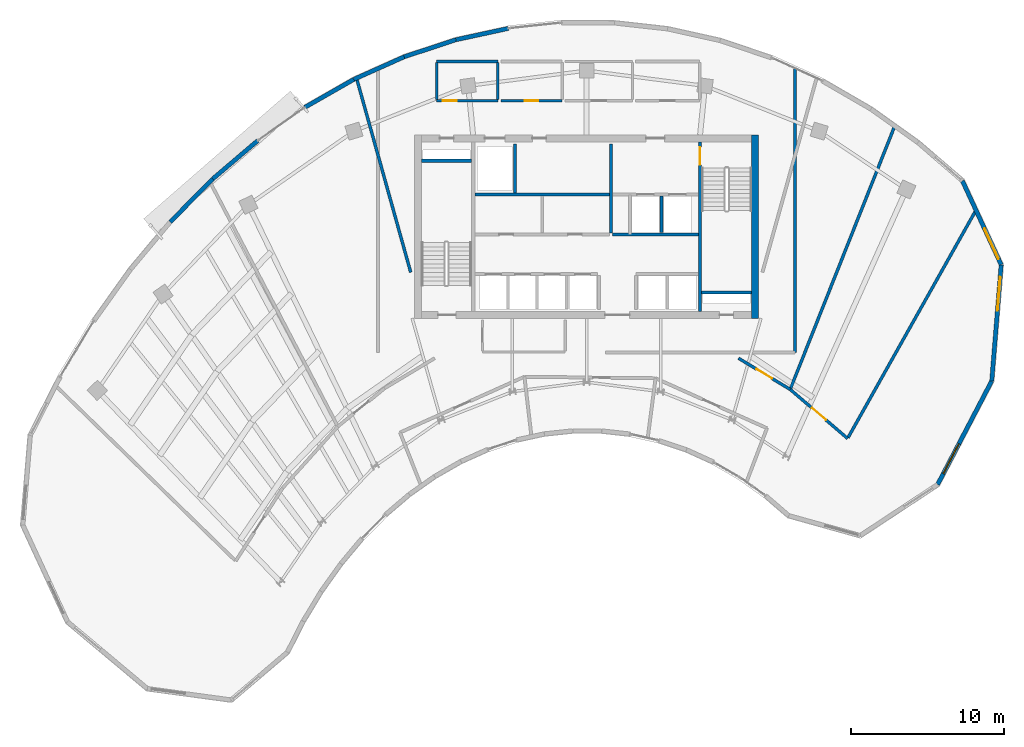
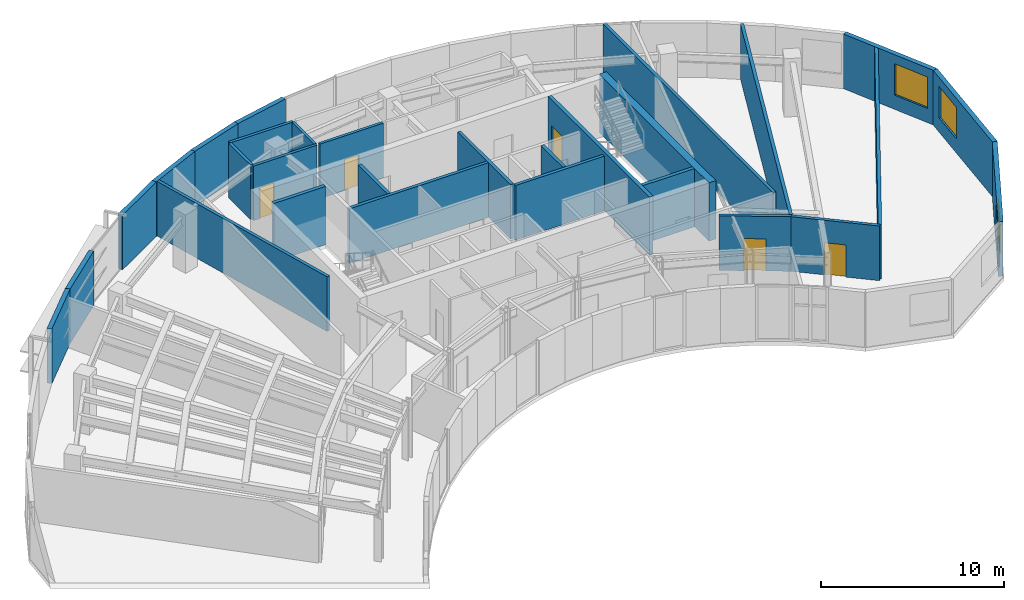
# One storey, part 9 of 12: 29 walls, 5 doors, 3 windows, 8 openings.
"""IFC4 building model written with IfcOpenShell, lengths in metres."""

from ifc_helpers import new_model, si_unit, direction, frame, frame_2d, origin, place, context, subcontext, project, spatial, rectangle, extrude, source, transform, mapped, material, layer, layer_set, type_object, type_shapes, element, fill, save


model = new_model("IFC4")

# Units and contexts
model_context = context("Model", 3, precision=1e-05, world=origin(), true_north=direction((0.0, 1.0)))
body_context = subcontext(model_context, "Body", "Model", "MODEL_VIEW")
ifc_project = project(units=[si_unit("LENGTHUNIT", "METRE"), si_unit("AREAUNIT", "SQUARE_METRE"), si_unit("VOLUMEUNIT", "CUBIC_METRE"), si_unit("PLANEANGLEUNIT", "RADIAN"), si_unit("MASSUNIT", "GRAM", prefix="KILO")], contexts=[model_context])

# Site, building, storey
site_placement = place(None, origin())
site = spatial("IfcSite", under=ifc_project, at=site_placement, CompositionType="ELEMENT")
building_placement = place(site_placement, origin())
building = spatial("IfcBuilding", under=site, at=building_placement, Name="Breltana Convention Tower", CompositionType="ELEMENT")
storey_placement = place(building_placement, frame((0.0, 0.0, 246.89990234375)))
storey = spatial("IfcBuildingStorey", under=building, at=storey_placement, Name="L60", CompositionType="ELEMENT", Elevation=246.89990234375)

# Walls
ifc_material_1 = material(Name="Concrete C50/60", Category="concrete")
ifc_layer_1 = layer(ifc_material_1, 0.39990234375, Name="Concrete C50/60")
ifc_layer_set_1 = layer_set([ifc_layer_1], Name="Concrete C50/60")
wall_type_1 = type_object("IfcWallType", Name="SW-CORE-400", PredefinedType="SHEAR", material=ifc_layer_set_1)
shared_shape_1 = source(origin(), body_context, "Body", "SweptSolid", [
    extrude(rectangle(XDim=3.27001953125, YDim=0.219970703125, at=frame_2d((1.635009765625, 0.0))), origin(), (0.0, 0.0, 1.0), 3.900146484375),
])
for number, where, z_axis, x_axis, name in (
    (1, (37.199951171875, 70.510009765625, 0.0), (0.0, 0.0, 1.0), (1.0, 0.0, 0.0), "L60 ST-1 Stairwell North Bearing Wall"),
    (2, (55.530029296875, 61.889892578125, 0.0), (0.0, 0.0, 1.0), (1.0, 0.0, 0.0), "L60 ST-2 Stairwell South Bearing Wall"),
):
    element("IfcWall", number, at=place(storey_placement, frame(where, z_axis=z_axis, x_axis=x_axis)), inside=storey, type_object=wall_type_1, Name=name, PredefinedType="SHEAR", context=body_context, shape_type="MappedRepresentation", body=[
        mapped(shared_shape_1, transform((0.0, 0.0, 0.0), scale=1.0)),
    ])
ifc_material_2 = material(Name="Concrete C60/75", Category="concrete")
ifc_layer_2 = layer(ifc_material_2, 0.449951171875, Name="Concrete C60/75")
ifc_layer_set_2 = layer_set([ifc_layer_2], Name="Concrete C60/75")
wall_type_2 = type_object("IfcWallType", Name="SW-CORE-450", PredefinedType="SHEAR", material=ifc_layer_set_2)
shared_shape_2 = source(origin(), body_context, "Body", "SweptSolid", [
    extrude(rectangle(XDim=12.0, YDim=0.449951171875, at=frame_2d((6.0, 0.0))), origin(), (0.0, 0.0, 1.0), 3.900146484375),
])
wall_1_placement = place(storey_placement, frame((59.02490234375, 60.199951171875, 0.0), z_axis=(0.0, 0.0, 1.0), x_axis=(0.0, 1.0, 0.0)))
element("IfcWall", 3, at=wall_1_placement, inside=storey, type_object=wall_type_2, Name="L60 East Core Shear Wall", PredefinedType="SHEAR", context=body_context, shape_type="MappedRepresentation", body=[
    mapped(shared_shape_2, transform((0.0, 0.0, 0.0), scale=1.0)),
])

# Wall, opening, door
shared_shape_3 = source(origin(), body_context, "Body", "SweptSolid", [
    extrude(rectangle(XDim=11.10009765625, YDim=0.219970703125, at=frame_2d((5.550048828125, 0.0))), origin(), (0.0, 0.0, 1.0), 3.900146484375),
])
wall_2_placement = place(storey_placement, frame((55.419921875, 60.64990234375, 0.0), z_axis=(0.0, 0.0, 1.0), x_axis=(0.0, 1.0, 0.0)))
wall_2 = element("IfcWall", 4, at=wall_2_placement, inside=storey, type_object=wall_type_1, Name="L60 Core East Stair Spine Wall", PredefinedType="SHEAR", context=body_context, shape_type="MappedRepresentation", body=[
    mapped(shared_shape_3, transform((0.0, 0.0, 0.0), scale=1.0)),
])
opening_1_placement = place(wall_2_placement, frame((9.594970703125, 0.0, 0.0)))
opening_1 = element("IfcOpeningElement", 5, at=opening_1_placement, cuts=wall_2, Name="Opening D-11", PredefinedType="OPENING", context=body_context, shape_type="SweptSolid", body=[
    extrude(rectangle(XDim=1.14990234375, YDim=2.14990234375, at=frame_2d((0.574951171875, 1.074951171875))), frame((0.0, 0.1201171875, 0.0), z_axis=(0.0, -1.0, 0.0), x_axis=(1.0, 0.0, 0.0)), (0.0, 0.0, 1.0), 0.239990234375),
])
ifc_material_3 = material(Name="Steel Stair Exit Door", Category="steel")
door_type_1 = type_object("IfcDoorType", Name="DR-FD120-1150", OperationType="NOTDEFINED", PredefinedType="DOOR", material=ifc_material_3)
shared_shape_4 = source(origin(), body_context, "Body", "SweptSolid", [
    extrude(rectangle(XDim=1.14990234375, YDim=2.14990234375, at=frame_2d((0.574951171875, 1.074951171875))), frame((0.0, 0.02490234375, 0.0), z_axis=(0.0, -1.0, 0.0), x_axis=(1.0, 0.0, 0.0)), (0.0, 0.0, 1.0), 0.050048828125),
])
type_shapes(door_type_1, [shared_shape_4])
door_1_placement = place(opening_1_placement, origin())
door_1 = element("IfcDoor", 6, at=door_1_placement, inside=storey, type_object=door_type_1, Name="L60 interior door D-L60-ST2", OperationType="SINGLE_SWING_LEFT", OverallHeight=2.14990234375, OverallWidth=1.14990234375, PredefinedType="DOOR", context=body_context, shape_type="MappedRepresentation", body=[
    mapped(shared_shape_4, transform((0.0, 0.0, 0.0), scale=1.0)),
])
fill(opening_1, door_1)

# Wall, opening, window
ifc_material_4 = material(Name="Limestone Buff Insulated Wall", Category="masonry")
ifc_layer_3 = layer(ifc_material_4, 0.280029296875, Name="Limestone Buff Insulated Wall")
ifc_layer_set_3 = layer_set([ifc_layer_3], Name="Limestone Buff Insulated Wall")
wall_type_3 = type_object("IfcWallType", Name="WL-EXT-NOSE-280", PredefinedType="SOLIDWALL", material=ifc_layer_set_3)
shared_shape_5 = source(origin(), body_context, "Body", "SweptSolid", [
    extrude(rectangle(XDim=6.049560546875, YDim=0.280029296875, at=frame_2d((3.02490234375, 0.0))), origin(), (0.0, 0.0, 1.0), 3.650146484375),
])
wall_3_placement = place(storey_placement, frame((72.57421875, 69.1982421875, 0.0), z_axis=(0.0, 0.0, 1.0), x_axis=(0.41942922905, -0.907788037935, 0.0)))
wall_3 = element("IfcWall", 7, at=wall_3_placement, inside=storey, type_object=wall_type_3, Name="L60 curved limestone nose wall E1", PredefinedType="SOLIDWALL", context=body_context, shape_type="MappedRepresentation", body=[
    mapped(shared_shape_5, transform((0.0, 0.0, 0.0), scale=1.0)),
])
opening_2_placement = place(wall_3_placement, frame((3.437255859375, 0.0, 0.949951171875)))
opening_2 = element("IfcOpeningElement", 8, at=opening_2_placement, cuts=wall_3, Name="Opening W-03", PredefinedType="OPENING", context=body_context, shape_type="SweptSolid", body=[
    extrude(rectangle(XDim=2.199951171875, YDim=2.10009765625, at=frame_2d((1.10009765625, 1.050048828125))), frame((0.0, 0.14990234375, 0.0), z_axis=(0.0, -1.0, 0.0), x_axis=(1.0, 0.0, 0.0)), (0.0, 0.0, 1.0), 0.300048828125),
])
ifc_material_5 = material(Name="Glass Low-E Insulated Window", Category="glass")
window_type = type_object("IfcWindowType", Name="WN-NOSE-2200X2100", PartitioningType="TRIPLE_PANEL_VERTICAL", PredefinedType="WINDOW", material=ifc_material_5)
shared_shape_6 = source(origin(), body_context, "Body", "SweptSolid", [
    extrude(rectangle(XDim=2.199951171875, YDim=2.10009765625, at=frame_2d((1.10009765625, 1.050048828125))), frame((0.0, 0.030029296875, 0.0), z_axis=(0.0, -1.0, 0.0), x_axis=(1.0, 0.0, 0.0)), (0.0, 0.0, 1.0), 0.06005859375),
])
type_shapes(window_type, [shared_shape_6])
window_1_placement = place(opening_2_placement, origin())
window_1 = element("IfcWindow", 9, at=window_1_placement, inside=storey, type_object=window_type, Name="L60 nose window E1", OverallHeight=2.10009765625, OverallWidth=2.199951171875, PartitioningType="TRIPLE_PANEL_VERTICAL", PredefinedType="WINDOW", context=body_context, shape_type="MappedRepresentation", body=[
    mapped(shared_shape_6, transform((0.0, 0.0, 0.0), scale=1.0)),
])
fill(opening_2, window_1)

shared_shape_7 = source(origin(), body_context, "Body", "SweptSolid", [
    extrude(rectangle(XDim=7.618408203125, YDim=0.280029296875, at=frame_2d((3.80908203125, 0.0))), origin(), (0.0, 0.0, 1.0), 3.650146484375),
])
wall_4_placement = place(storey_placement, frame((75.111572265625, 63.70654296875, 0.0), z_axis=(0.0, 0.0, 1.0), x_axis=(-0.080820171031, -0.996728699273, 0.0)))
wall_4 = element("IfcWall", 10, at=wall_4_placement, inside=storey, type_object=wall_type_3, Name="L60 curved limestone nose wall E2", PredefinedType="SOLIDWALL", context=body_context, shape_type="MappedRepresentation", body=[
    mapped(shared_shape_7, transform((0.0, 0.0, 0.0), scale=1.0)),
])
opening_3_placement = place(wall_4_placement, frame((0.8046875, 0.0, 0.949951171875)))
opening_3 = element("IfcOpeningElement", 11, at=opening_3_placement, cuts=wall_4, Name="Opening W-03", PredefinedType="OPENING", context=body_context, shape_type="SweptSolid", body=[
    extrude(rectangle(XDim=2.199951171875, YDim=2.10009765625, at=frame_2d((1.10009765625, 1.050048828125))), frame((0.0, 0.14990234375, 0.0), z_axis=(0.0, -1.0, 0.0), x_axis=(1.0, 0.0, 0.0)), (0.0, 0.0, 1.0), 0.300048828125),
])
window_2_placement = place(opening_3_placement, origin())
window_2 = element("IfcWindow", 12, at=window_2_placement, inside=storey, type_object=window_type, Name="L60 nose window E2", OverallHeight=2.10009765625, OverallWidth=2.199951171875, PartitioningType="TRIPLE_PANEL_VERTICAL", PredefinedType="WINDOW", context=body_context, shape_type="MappedRepresentation", body=[
    mapped(shared_shape_6, transform((0.0, 0.0, 0.0), scale=1.0)),
])
fill(opening_3, window_2)

shared_shape_8 = source(origin(), body_context, "Body", "SweptSolid", [
    extrude(rectangle(XDim=7.647705078125, YDim=0.280029296875, at=frame_2d((3.82373046875, 0.0))), origin(), (0.0, 0.0, 1.0), 3.650146484375),
])
wall_5_placement = place(storey_placement, frame((74.495849609375, 56.113037109375, 0.0), z_axis=(0.0, 0.0, 1.0), x_axis=(-0.463116873665, -0.886297219519, 0.0)))
wall_5 = element("IfcWall", 13, at=wall_5_placement, inside=storey, type_object=wall_type_3, Name="L60 curved limestone nose wall E3", PredefinedType="SOLIDWALL", context=body_context, shape_type="MappedRepresentation", body=[
    mapped(shared_shape_8, transform((0.0, 0.0, 0.0), scale=1.0)),
])
opening_4_placement = place(wall_5_placement, frame((4.6357421875, 0.0, 0.949951171875)))
opening_4 = element("IfcOpeningElement", 14, at=opening_4_placement, cuts=wall_5, Name="Opening W-03", PredefinedType="OPENING", context=body_context, shape_type="SweptSolid", body=[
    extrude(rectangle(XDim=2.199951171875, YDim=2.10009765625, at=frame_2d((1.10009765625, 1.050048828125))), frame((0.0, 0.14990234375, 0.0), z_axis=(0.0, -1.0, 0.0), x_axis=(1.0, 0.0, 0.0)), (0.0, 0.0, 1.0), 0.300048828125),
])
window_3_placement = place(opening_4_placement, origin())
window_3 = element("IfcWindow", 15, at=window_3_placement, inside=storey, type_object=window_type, Name="L60 nose window E3", OverallHeight=2.10009765625, OverallWidth=2.199951171875, PartitioningType="TRIPLE_PANEL_VERTICAL", PredefinedType="WINDOW", context=body_context, shape_type="MappedRepresentation", body=[
    mapped(shared_shape_6, transform((0.0, 0.0, 0.0), scale=1.0)),
])
fill(opening_4, window_3)

# Walls
shared_shape_9 = source(origin(), body_context, "Body", "SweptSolid", [
    extrude(rectangle(XDim=3.955078125, YDim=0.280029296875, at=frame_2d((1.9775390625, 0.0))), origin(), (0.0, 0.0, 1.0), 3.650146484375),
])
wall_6_placement = place(storey_placement, frame((20.7763671875, 66.50732421875, 0.0), z_axis=(0.0, 0.0, 1.0), x_axis=(0.702710517474, 0.711475880569, 0.0)))
element("IfcWall", 16, at=wall_6_placement, inside=storey, type_object=wall_type_3, Name="L60 curved limestone nose wall E22", PredefinedType="SOLIDWALL", context=body_context, shape_type="MappedRepresentation", body=[
    mapped(shared_shape_9, transform((0.0, 0.0, 0.0), scale=1.0)),
])
shared_shape_10 = source(origin(), body_context, "Body", "SweptSolid", [
    extrude(rectangle(XDim=3.8603515625, YDim=0.280029296875, at=frame_2d((1.93017578125, 0.0))), origin(), (0.0, 0.0, 1.0), 3.650146484375),
])
wall_7_placement = place(storey_placement, frame((23.5556640625, 69.3212890625, 0.0), z_axis=(0.0, 0.0, 1.0), x_axis=(0.761497547739, 0.648167790613, 0.0)))
element("IfcWall", 17, at=wall_7_placement, inside=storey, type_object=wall_type_3, Name="L60 curved limestone nose wall E23", PredefinedType="SOLIDWALL", context=body_context, shape_type="MappedRepresentation", body=[
    mapped(shared_shape_10, transform((0.0, 0.0, 0.0), scale=1.0)),
])
shared_shape_11 = source(origin(), body_context, "Body", "SweptSolid", [
    extrude(rectangle(XDim=3.68798828125, YDim=0.280029296875, at=frame_2d((1.843994140625, 0.0))), origin(), (0.0, 0.0, 1.0), 3.650146484375),
])
wall_8_placement = place(storey_placement, frame((29.57568359375, 73.99755859375, 0.0), z_axis=(0.0, 0.0, 1.0), x_axis=(0.867929289274, 0.496687778005, 0.0)))
element("IfcWall", 18, at=wall_8_placement, inside=storey, type_object=wall_type_3, Name="L60 curved limestone nose wall E24", PredefinedType="SOLIDWALL", context=body_context, shape_type="MappedRepresentation", body=[
    mapped(shared_shape_11, transform((0.0, 0.0, 0.0), scale=1.0)),
])
shared_shape_12 = source(origin(), body_context, "Body", "SweptSolid", [
    extrude(rectangle(XDim=3.556884765625, YDim=0.280029296875, at=frame_2d((1.7783203125, 0.0))), origin(), (0.0, 0.0, 1.0), 3.650146484375),
])
wall_9_placement = place(storey_placement, frame((36.07666015625, 77.306640625, 0.0), z_axis=(0.0, 0.0, 1.0), x_axis=(0.949687460385, 0.31319918197, 0.0)))
element("IfcWall", 19, at=wall_9_placement, inside=storey, type_object=wall_type_3, Name="L60 curved limestone nose wall E26", PredefinedType="SOLIDWALL", context=body_context, shape_type="MappedRepresentation", body=[
    mapped(shared_shape_12, transform((0.0, 0.0, 0.0), scale=1.0)),
])
shared_shape_13 = source(origin(), body_context, "Body", "SweptSolid", [
    extrude(rectangle(XDim=3.512939453125, YDim=0.280029296875, at=frame_2d((1.75634765625, 0.0))), origin(), (0.0, 0.0, 1.0), 3.650146484375),
])
wall_10_placement = place(storey_placement, frame((39.45458984375, 78.420654296875, 0.0), z_axis=(0.0, 0.0, 1.0), x_axis=(0.977366029072, 0.211555300611, 0.0)))
element("IfcWall", 20, at=wall_10_placement, inside=storey, type_object=wall_type_3, Name="L60 curved limestone nose wall E27", PredefinedType="SOLIDWALL", context=body_context, shape_type="MappedRepresentation", body=[
    mapped(shared_shape_13, transform((0.0, 0.0, 0.0), scale=1.0)),
])
shared_shape_14 = source(origin(), body_context, "Body", "SweptSolid", [
    extrude(rectangle(XDim=3.61572265625, YDim=0.280029296875, at=frame_2d((1.807861328125, 0.0))), origin(), (0.0, 0.0, 1.0), 3.650146484375),
])
wall_11_placement = place(storey_placement, frame((32.776611328125, 75.829345703125, 0.0), z_axis=(0.0, 0.0, 1.0), x_axis=(0.912719530576, 0.408586659726, 0.0)))
element("IfcWall", 21, at=wall_11_placement, inside=storey, type_object=wall_type_3, Name="L60 curved limestone nose wall E25", PredefinedType="SOLIDWALL", context=body_context, shape_type="MappedRepresentation", body=[
    mapped(shared_shape_14, transform((0.0, 0.0, 0.0), scale=1.0)),
])
ifc_material_6 = material(Name="Autoclaved Aerated Concrete Block", Category="concrete")
ifc_layer_4 = layer(ifc_material_6, 0.199951171875, Name="Autoclaved Aerated Concrete Block")
ifc_layer_set_4 = layer_set([ifc_layer_4], Name="Autoclaved Aerated Concrete Block")
wall_type_4 = type_object("IfcWallType", Name="WL-SHAFT-200", PredefinedType="SOLIDWALL", material=ifc_layer_set_4)
shared_shape_15 = source(origin(), body_context, "Body", "SweptSolid", [
    extrude(rectangle(XDim=5.6201171875, YDim=0.199951171875, at=frame_2d((2.81005859375, 0.0))), origin(), (0.0, 0.0, 1.0), 3.650146484375),
])
wall_12_placement = place(storey_placement, frame((49.699951171875, 65.679931640625, 0.0), z_axis=(0.0, 0.0, 1.0), x_axis=(1.0, 0.0, 0.0)))
element("IfcWall", 22, at=wall_12_placement, inside=storey, type_object=wall_type_4, Name="L60 interior partition W-L60-FL-S", PredefinedType="SOLIDWALL", context=body_context, shape_type="MappedRepresentation", body=[
    mapped(shared_shape_15, transform((0.0, 0.0, 0.0), scale=1.0)),
])
shared_shape_16 = source(origin(), body_context, "Body", "SweptSolid", [
    extrude(rectangle(XDim=5.800048828125, YDim=0.199951171875, at=frame_2d((2.89990234375, 0.0))), origin(), (0.0, 0.0, 1.0), 3.650146484375),
])
wall_13_placement = place(storey_placement, frame((49.60009765625, 65.800048828125, 0.0), z_axis=(0.0, 0.0, 1.0), x_axis=(0.0, 1.0, 0.0)))
element("IfcWall", 23, at=wall_13_placement, inside=storey, type_object=wall_type_4, Name="L60 interior partition W-L60-FFL-W", PredefinedType="SOLIDWALL", context=body_context, shape_type="MappedRepresentation", body=[
    mapped(shared_shape_16, transform((0.0, 0.0, 0.0), scale=1.0)),
])
shared_shape_17 = source(origin(), body_context, "Body", "SweptSolid", [
    extrude(rectangle(XDim=2.39990234375, YDim=0.199951171875, at=frame_2d((1.199951171875, 0.0))), origin(), (0.0, 0.0, 1.0), 3.650146484375),
])
wall_14_placement = place(storey_placement, frame((52.89990234375, 65.800048828125, 0.0), z_axis=(0.0, 0.0, 1.0), x_axis=(0.0, 1.0, 0.0)))
element("IfcWall", 24, at=wall_14_placement, inside=storey, type_object=wall_type_4, Name="L60 interior partition W-L60-FL-DIV", PredefinedType="SOLIDWALL", context=body_context, shape_type="MappedRepresentation", body=[
    mapped(shared_shape_17, transform((0.0, 0.0, 0.0), scale=1.0)),
])
shared_shape_18 = source(origin(), body_context, "Body", "SweptSolid", [
    extrude(rectangle(XDim=3.2001953125, YDim=0.199951171875, at=frame_2d((1.60009765625, 0.0))), origin(), (0.0, 0.0, 1.0), 3.650146484375),
])
wall_15_placement = place(storey_placement, frame((43.320068359375, 68.39990234375, 0.0), z_axis=(0.0, 0.0, 1.0), x_axis=(0.0, 1.0, 0.0)))
element("IfcWall", 25, at=wall_15_placement, inside=storey, type_object=wall_type_4, Name="L60 interior partition W-L60-SV-E", PredefinedType="SOLIDWALL", context=body_context, shape_type="MappedRepresentation", body=[
    mapped(shared_shape_18, transform((0.0, 0.0, 0.0), scale=1.0)),
])
shared_shape_19 = source(origin(), body_context, "Body", "SweptSolid", [
    extrude(rectangle(XDim=8.800048828125, YDim=0.199951171875, at=frame_2d((4.39990234375, 0.0))), origin(), (0.0, 0.0, 1.0), 3.650146484375),
])
wall_16_placement = place(storey_placement, frame((40.699951171875, 68.300048828125, 0.0), z_axis=(0.0, 0.0, 1.0), x_axis=(1.0, 0.0, 0.0)))
element("IfcWall", 26, at=wall_16_placement, inside=storey, type_object=wall_type_4, Name="L60 interior partition W-L60-SV-S", PredefinedType="SOLIDWALL", context=body_context, shape_type="MappedRepresentation", body=[
    mapped(shared_shape_19, transform((0.0, 0.0, 0.0), scale=1.0)),
])

# Wall, opening, door
ifc_material_7 = material(Name="Cement Board Wet-Area Partition")
ifc_layer_5 = layer(ifc_material_7, 0.175048828125, Name="Cement Board Wet-Area Partition")
ifc_layer_set_5 = layer_set([ifc_layer_5], Name="Cement Board Wet-Area Partition")
wall_type_5 = type_object("IfcWallType", Name="WL-WET-175", PredefinedType="PARTITIONING", material=ifc_layer_set_5)
shared_shape_20 = source(origin(), body_context, "Body", "SweptSolid", [
    extrude(rectangle(XDim=4.0, YDim=0.175048828125, at=frame_2d((2.0, 0.0))), origin(), (0.0, 0.0, 1.0), 3.650146484375),
])
wall_17_placement = place(storey_placement, frame((38.199951171875, 74.43994140625, 0.0), z_axis=(0.0, 0.0, 1.0), x_axis=(1.0, 0.0, 0.0)))
wall_17 = element("IfcWall", 27, at=wall_17_placement, inside=storey, type_object=wall_type_5, Name="L60 interior partition W-L60-WCM-S", PredefinedType="PARTITIONING", context=body_context, shape_type="MappedRepresentation", body=[
    mapped(shared_shape_20, transform((0.0, 0.0, 0.0), scale=1.0)),
])
opening_5_placement = place(wall_17_placement, frame((0.39990234375, 0.0, 0.0)))
opening_5 = element("IfcOpeningElement", 28, at=opening_5_placement, cuts=wall_17, Name="Opening D-19", PredefinedType="OPENING", context=body_context, shape_type="SweptSolid", body=[
    extrude(rectangle(XDim=0.89990234375, YDim=2.080078125, at=frame_2d((0.449951171875, 1.0400390625))), frame((0.0, 0.09765625, 0.0), z_axis=(0.0, -1.0, 0.0), x_axis=(1.0, 0.0, 0.0)), (0.0, 0.0, 1.0), 0.195068359375),
])
ifc_material_8 = material(Name="Timber Moisture-Resistant Door", Category="wood")
door_type_2 = type_object("IfcDoorType", Name="DR-WC-900", OperationType="NOTDEFINED", PredefinedType="DOOR", material=ifc_material_8)
shared_shape_21 = source(origin(), body_context, "Body", "SweptSolid", [
    extrude(rectangle(XDim=0.89990234375, YDim=2.080078125, at=frame_2d((0.449951171875, 1.0400390625))), frame((0.0, 0.02490234375, 0.0), z_axis=(0.0, -1.0, 0.0), x_axis=(1.0, 0.0, 0.0)), (0.0, 0.0, 1.0), 0.050048828125),
])
type_shapes(door_type_2, [shared_shape_21])
door_2_placement = place(opening_5_placement, origin())
door_2 = element("IfcDoor", 29, at=door_2_placement, inside=storey, type_object=door_type_2, Name="L60 interior door D-L60-WCM", OperationType="SINGLE_SWING_RIGHT", OverallHeight=2.080078125, OverallWidth=0.89990234375, PredefinedType="DOOR", context=body_context, shape_type="MappedRepresentation", body=[
    mapped(shared_shape_21, transform((0.0, 0.0, 0.0), scale=1.0)),
])
fill(opening_5, door_2)

wall_18_placement = place(storey_placement, frame((42.39990234375, 74.43994140625, 0.0), z_axis=(0.0, 0.0, 1.0), x_axis=(1.0, 0.0, 0.0)))
wall_18 = element("IfcWall", 30, at=wall_18_placement, inside=storey, type_object=wall_type_5, Name="L60 interior partition W-L60-WCF-S", PredefinedType="PARTITIONING", context=body_context, shape_type="MappedRepresentation", body=[
    mapped(shared_shape_20, transform((0.0, 0.0, 0.0), scale=1.0)),
])
opening_6_placement = place(wall_18_placement, frame((1.550048828125, 0.0, 0.0)))
opening_6 = element("IfcOpeningElement", 31, at=opening_6_placement, cuts=wall_18, Name="Opening D-19", PredefinedType="OPENING", context=body_context, shape_type="SweptSolid", body=[
    extrude(rectangle(XDim=0.89990234375, YDim=2.080078125, at=frame_2d((0.449951171875, 1.0400390625))), frame((0.0, 0.09765625, 0.0), z_axis=(0.0, -1.0, 0.0), x_axis=(1.0, 0.0, 0.0)), (0.0, 0.0, 1.0), 0.195068359375),
])
door_3_placement = place(opening_6_placement, origin())
door_3 = element("IfcDoor", 32, at=door_3_placement, inside=storey, type_object=door_type_2, Name="L60 interior door D-L60-WCF", OperationType="SINGLE_SWING_LEFT", OverallHeight=2.080078125, OverallWidth=0.89990234375, PredefinedType="DOOR", context=body_context, shape_type="MappedRepresentation", body=[
    mapped(shared_shape_21, transform((0.0, 0.0, 0.0), scale=1.0)),
])
fill(opening_6, door_3)

# Walls
ifc_material_9 = material(Name="Moisture-Resistant Gypsum Chase Wall")
ifc_layer_6 = layer(ifc_material_9, 0.179931640625, Name="Moisture-Resistant Gypsum Chase Wall")
ifc_layer_set_6 = layer_set([ifc_layer_6], Name="Moisture-Resistant Gypsum Chase Wall")
wall_type_6 = type_object("IfcWallType", Name="WL-PLUMB-180", PredefinedType="PLUMBINGWALL", material=ifc_layer_set_6)
shared_shape_22 = source(origin(), body_context, "Body", "SweptSolid", [
    extrude(rectangle(XDim=4.0, YDim=0.179931640625, at=frame_2d((2.0, 0.0))), origin(), (0.0, 0.0, 1.0), 3.650146484375),
])
wall_19_placement = place(storey_placement, frame((38.199951171875, 77.0, 0.0), z_axis=(0.0, 0.0, 1.0), x_axis=(1.0, 0.0, 0.0)))
element("IfcWall", 33, at=wall_19_placement, inside=storey, type_object=wall_type_6, Name="L60 interior partition W-L60-WCM-N", PredefinedType="PLUMBINGWALL", context=body_context, shape_type="MappedRepresentation", body=[
    mapped(shared_shape_22, transform((0.0, 0.0, 0.0), scale=1.0)),
])
shared_shape_23 = source(origin(), body_context, "Body", "SweptSolid", [
    extrude(rectangle(XDim=2.402587890625, YDim=0.175048828125, at=frame_2d((1.201171875, 0.0))), origin(), (0.0, 0.0, 1.0), 3.650146484375),
])
for number, where, z_axis, x_axis, name in (
    (34, (38.199951171875, 74.518798828125, 0.0), (0.0, 0.0, 1.0), (0.0, 1.0, 0.0), "L60 interior partition W-L60-WCM-W"),
    (35, (42.199951171875, 74.518798828125, 0.0), (0.0, 0.0, 1.0), (0.0, 1.0, 0.0), "L60 interior partition W-L60-WCM-E"),
):
    element("IfcWall", number, at=place(storey_placement, frame(where, z_axis=z_axis, x_axis=x_axis)), inside=storey, type_object=wall_type_5, Name=name, PredefinedType="PARTITIONING", context=body_context, shape_type="MappedRepresentation", body=[
        mapped(shared_shape_23, transform((0.0, 0.0, 0.0), scale=1.0)),
    ])
ifc_material_10 = material(Name="Gypsum Acoustic Hotel Wall")
ifc_layer_7 = layer(ifc_material_10, 0.195068359375, Name="Gypsum Acoustic Hotel Wall")
ifc_layer_set_7 = layer_set([ifc_layer_7], Name="Gypsum Acoustic Hotel Wall")
wall_type_7 = type_object("IfcWallType", Name="WL-HOTEL-200", PredefinedType="PARTITIONING", material=ifc_layer_set_7)
shared_shape_24 = source(origin(), body_context, "Body", "SweptSolid", [
    extrude(rectangle(XDim=13.16943359375, YDim=0.195068359375, at=frame_2d((6.584716796875, 0.0))), origin(), (0.0, 0.0, 1.0), 3.650146484375),
])
wall_20_placement = place(storey_placement, frame((36.5, 63.2158203125, 0.0), z_axis=(0.0, 0.0, 1.0), x_axis=(-0.26875376985, 0.963208913576, 0.0)))
element("IfcWall", 36, at=wall_20_placement, inside=storey, type_object=wall_type_7, Name="L60 interior partition W-L60-EXWR2-RB", PredefinedType="PARTITIONING", context=body_context, shape_type="MappedRepresentation", body=[
    mapped(shared_shape_24, transform((0.0, 0.0, 0.0), scale=1.0)),
])

# Wall, opening, door
shared_shape_25 = source(origin(), body_context, "Body", "SweptSolid", [
    extrude(rectangle(XDim=3.95068359375, YDim=0.195068359375, at=frame_2d((1.975341796875, 0.0))), origin(), (0.0, 0.0, 1.0), 3.650146484375),
])
wall_21_placement = place(storey_placement, frame((57.931884765625, 57.595703125, 0.0), z_axis=(0.0, 0.0, 1.0), x_axis=(0.856137696849, -0.51674775668, 0.0)))
wall_21 = element("IfcWall", 37, at=wall_21_placement, inside=storey, type_object=wall_type_7, Name="L60 interior partition W-L60-EXER1-COR", PredefinedType="PARTITIONING", context=body_context, shape_type="MappedRepresentation", body=[
    mapped(shared_shape_25, transform((0.0, 0.0, 0.0), scale=1.0)),
])
opening_7_placement = place(wall_21_placement, frame((1.37548828125, 0.0, 0.0)))
opening_7 = element("IfcOpeningElement", 38, at=opening_7_placement, cuts=wall_21, Name="Opening D-10", PredefinedType="OPENING", context=body_context, shape_type="SweptSolid", body=[
    extrude(rectangle(XDim=1.199951171875, YDim=2.14990234375, at=frame_2d((0.60009765625, 1.074951171875))), frame((0.0, 0.107421875, 0.0), z_axis=(0.0, -1.0, 0.0), x_axis=(1.0, 0.0, 0.0)), (0.0, 0.0, 1.0), 0.215087890625),
])
ifc_material_11 = material(Name="Timber Oak Veneer Fire Door", Category="wood")
door_type_3 = type_object("IfcDoorType", Name="DR-INT-1200", OperationType="NOTDEFINED", PredefinedType="DOOR", material=ifc_material_11)
shared_shape_26 = source(origin(), body_context, "Body", "SweptSolid", [
    extrude(rectangle(XDim=1.199951171875, YDim=2.14990234375, at=frame_2d((0.60009765625, 1.074951171875))), frame((0.0, 0.02490234375, 0.0), z_axis=(0.0, -1.0, 0.0), x_axis=(1.0, 0.0, 0.0)), (0.0, 0.0, 1.0), 0.050048828125),
])
type_shapes(door_type_3, [shared_shape_26])
door_4_placement = place(opening_7_placement, origin())
door_4 = element("IfcDoor", 39, at=door_4_placement, inside=storey, type_object=door_type_3, Name="L60 interior door D-L60-EXER1", OperationType="SINGLE_SWING_LEFT", OverallHeight=2.14990234375, OverallWidth=1.199951171875, PredefinedType="DOOR", context=body_context, shape_type="MappedRepresentation", body=[
    mapped(shared_shape_26, transform((0.0, 0.0, 0.0), scale=1.0)),
])
fill(opening_7, door_4)

# Wall
shared_shape_27 = source(origin(), body_context, "Body", "SweptSolid", [
    extrude(rectangle(XDim=18.470703125, YDim=0.195068359375, at=frame_2d((9.2353515625, 0.0))), origin(), (0.0, 0.0, 1.0), 3.650146484375),
])
wall_22_placement = place(storey_placement, frame((61.3330078125, 55.6015625, 0.0), z_axis=(0.0, 0.0, 1.0), x_axis=(0.368827756565, 0.929497760076, 0.0)))
element("IfcWall", 40, at=wall_22_placement, inside=storey, type_object=wall_type_7, Name="L60 interior partition W-L60-EXER1-RB", PredefinedType="PARTITIONING", context=body_context, shape_type="MappedRepresentation", body=[
    mapped(shared_shape_27, transform((0.0, 0.0, 0.0), scale=1.0)),
])

# Wall, opening, door
shared_shape_28 = source(origin(), body_context, "Body", "SweptSolid", [
    extrude(rectangle(XDim=4.934814453125, YDim=0.195068359375, at=frame_2d((2.46728515625, 0.0))), origin(), (0.0, 0.0, 1.0), 3.650146484375),
])
wall_23_placement = place(storey_placement, frame((61.314208984375, 55.55419921875, 0.0), z_axis=(0.0, 0.0, 1.0), x_axis=(0.760547222161, -0.649282621716, 0.0)))
wall_23 = element("IfcWall", 41, at=wall_23_placement, inside=storey, type_object=wall_type_7, Name="L60 interior partition W-L60-EXER2-COR", PredefinedType="PARTITIONING", context=body_context, shape_type="MappedRepresentation", body=[
    mapped(shared_shape_28, transform((0.0, 0.0, 0.0), scale=1.0)),
])
opening_8_placement = place(wall_23_placement, frame((1.867431640625, 0.0, 0.0)))
opening_8 = element("IfcOpeningElement", 42, at=opening_8_placement, cuts=wall_23, Name="Opening D-10", PredefinedType="OPENING", context=body_context, shape_type="SweptSolid", body=[
    extrude(rectangle(XDim=1.199951171875, YDim=2.14990234375, at=frame_2d((0.60009765625, 1.074951171875))), frame((0.0, 0.107421875, 0.0), z_axis=(0.0, -1.0, 0.0), x_axis=(1.0, 0.0, 0.0)), (0.0, 0.0, 1.0), 0.215087890625),
])
door_5_placement = place(opening_8_placement, origin())
door_5 = element("IfcDoor", 43, at=door_5_placement, inside=storey, type_object=door_type_3, Name="L60 interior door D-L60-EXER2", OperationType="SINGLE_SWING_RIGHT", OverallHeight=2.14990234375, OverallWidth=1.199951171875, PredefinedType="DOOR", context=body_context, shape_type="MappedRepresentation", body=[
    mapped(shared_shape_26, transform((0.0, 0.0, 0.0), scale=1.0)),
])
fill(opening_8, door_5)

# Walls
shared_shape_29 = source(origin(), body_context, "Body", "SweptSolid", [
    extrude(rectangle(XDim=17.06396484375, YDim=0.195068359375, at=frame_2d((8.531982421875, 0.0))), origin(), (0.0, 0.0, 1.0), 3.650146484375),
])
wall_24_placement = place(storey_placement, frame((65.091552734375, 52.392822265625, 0.0), z_axis=(0.0, 0.0, 1.0), x_axis=(0.490167496501, 0.871628261, 0.0)))
element("IfcWall", 44, at=wall_24_placement, inside=storey, type_object=wall_type_7, Name="L60 interior partition W-L60-EXER2-RB", PredefinedType="PARTITIONING", context=body_context, shape_type="MappedRepresentation", body=[
    mapped(shared_shape_29, transform((0.0, 0.0, 0.0), scale=1.0)),
])
shared_shape_30 = source(origin(), body_context, "Body", "SweptSolid", [
    extrude(rectangle(XDim=18.5673828125, YDim=0.195068359375, at=frame_2d((9.28369140625, 0.0))), origin(), (0.0, 0.0, 1.0), 3.650146484375),
])
wall_25_placement = place(storey_placement, frame((61.639892578125, 57.9599609375, 0.0), z_axis=(0.0, 0.0, 1.0), x_axis=(0.0, 1.0, 0.0)))
element("IfcWall", 45, at=wall_25_placement, inside=storey, type_object=wall_type_7, Name="L60 interior partition W-L60-EXER-CL", PredefinedType="PARTITIONING", context=body_context, shape_type="MappedRepresentation", body=[
    mapped(shared_shape_30, transform((0.0, 0.0, 0.0), scale=1.0)),
])

save(model, "model.ifc")
